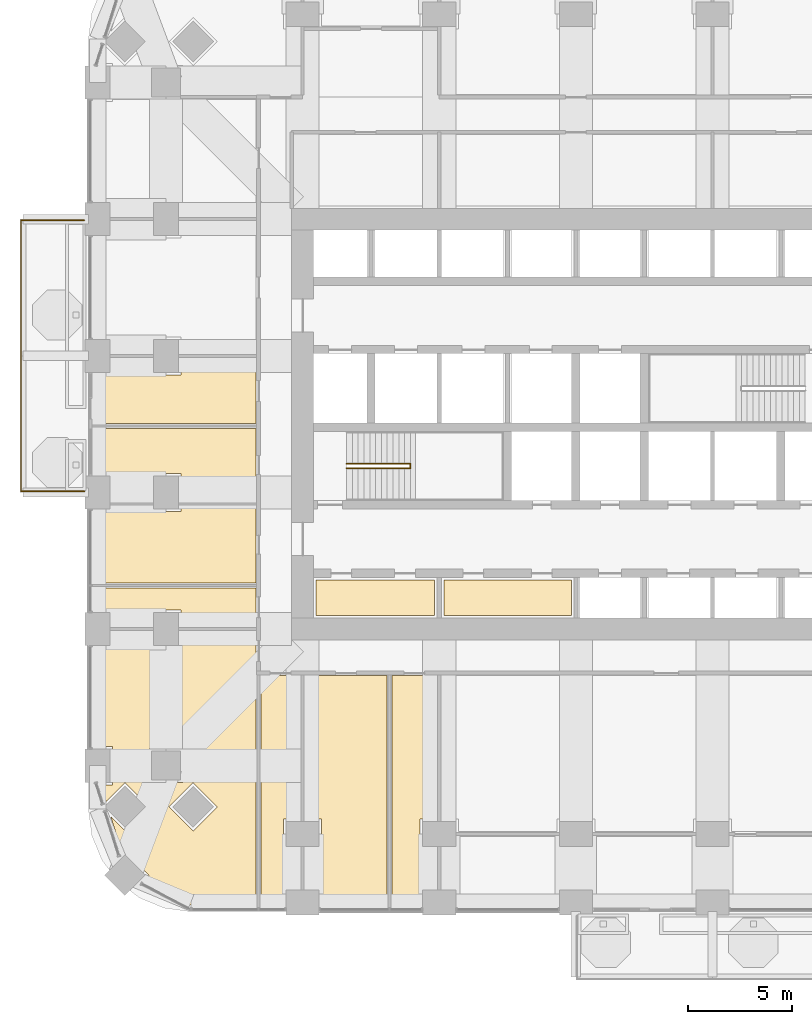
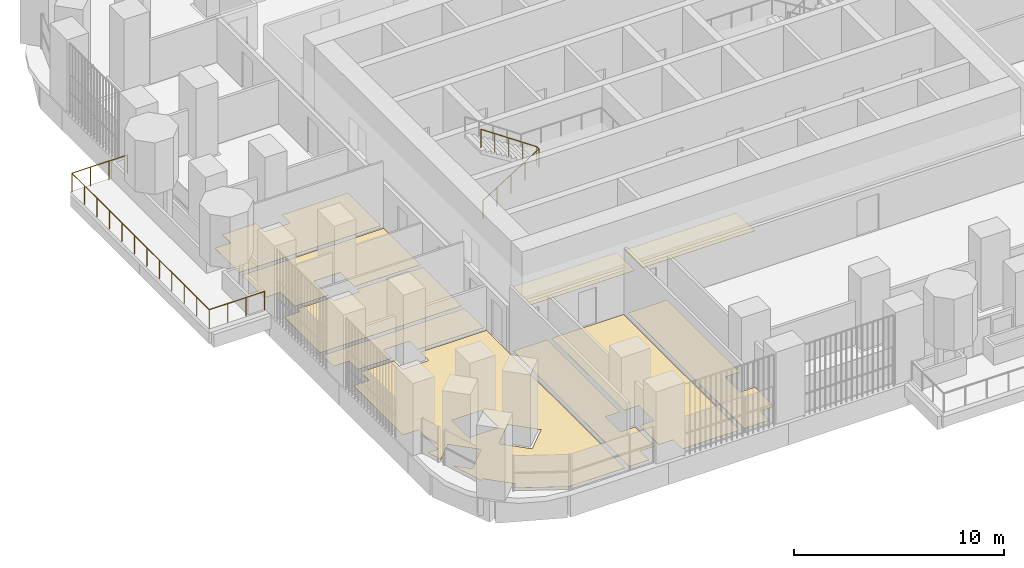
# One storey, part 18 of 22: 10 coverings, 2 railings.
"""IFC4 building model written with IfcOpenShell, lengths in metres."""

from ifc_helpers import new_model, si_unit, direction, frame, origin, place, context, subcontext, project, spatial, polyline, outline, extrude, material, layer, layer_set, type_object, element, save


model = new_model("IFC4")

# Units and contexts
model_context = context("Model", 3, precision=1e-05, world=origin(), true_north=direction((0.0, 1.0)))
body_context = subcontext(model_context, "Body", "Model", "MODEL_VIEW")
ifc_project = project(units=[si_unit("LENGTHUNIT", "METRE"), si_unit("AREAUNIT", "SQUARE_METRE"), si_unit("VOLUMEUNIT", "CUBIC_METRE"), si_unit("PLANEANGLEUNIT", "RADIAN"), si_unit("MASSUNIT", "GRAM", prefix="KILO")], contexts=[model_context])

# Site, building, storey
site_placement = place(None, origin())
site = spatial("IfcSite", under=ifc_project, at=site_placement, CompositionType="ELEMENT")
building_placement = place(site_placement, origin())
building = spatial("IfcBuilding", under=site, at=building_placement, Name="Cobogo Forest Laboratory Tower", CompositionType="ELEMENT")
storey_placement = place(building_placement, frame((0.0, 0.0, 145.199951171875)))
storey = spatial("IfcBuildingStorey", under=building, at=storey_placement, Name="L33", CompositionType="ELEMENT", Elevation=145.199951171875)

# Railing
ifc_material_1 = material(Name="Laminated glass balustrade", Category="glass")
railing_type_1 = type_object("IfcRailingType", Name="BG1 glass balustrade 1100", PredefinedType="GUARDRAIL", material=ifc_material_1)
railing_1_placement = place(storey_placement, frame((2.64990234375, 19.85009765625, 0.0)))
element("IfcRailing", 1, at=railing_1_placement, inside=storey, type_object=railing_type_1, Name="Balcony balustrade BAL-W1 L33", PredefinedType="GUARDRAIL", context=body_context, shape_type="SweptSolid", body=[
    extrude(outline(polyline([(0.022216796875, 0.00927734375), (0.00927734375, 0.022216796875), (-0.00927734375, 0.022216796875), (-0.022216796875, 0.00927734375), (-0.022216796875, -0.00927734375), (-0.00927734375, -0.022216796875), (0.00927734375, -0.022216796875), (0.022216796875, -0.00927734375), (0.022216796875, 0.00927734375)])), frame((0.0, 0.0, 1.077880859375), z_axis=(-1.0, 0.0, 0.0), x_axis=(0.0, -1.0, 0.0)), (0.0, 0.0, 1.0), 3.0498046875),
    extrude(outline(polyline([(0.022216796875, 0.00927734375), (0.00927734375, 0.022216796875), (-0.00927734375, 0.022216796875), (-0.022216796875, 0.00927734375), (-0.022216796875, -0.00927734375), (-0.00927734375, -0.022216796875), (0.00927734375, -0.022216796875), (0.022216796875, -0.00927734375), (0.022216796875, 0.00927734375)])), frame((-3.0498046875, 0.0, 1.077880859375), z_axis=(0.0, 1.0, 0.0), x_axis=(-1.0, 0.0, 0.0)), (0.0, 0.0, 1.0), 13.099853515625),
    extrude(outline(polyline([(0.022216796875, 0.00927734375), (0.00927734375, 0.022216796875), (-0.00927734375, 0.022216796875), (-0.022216796875, 0.00927734375), (-0.022216796875, -0.00927734375), (-0.00927734375, -0.022216796875), (0.00927734375, -0.022216796875), (0.022216796875, -0.00927734375), (0.022216796875, 0.00927734375)])), frame((-3.0498046875, 13.099853515625, 1.077880859375), z_axis=(1.0, 0.0, 0.0), x_axis=(0.0, 1.0, 0.0)), (0.0, 0.0, 1.0), 3.0498046875),
    extrude(outline(polyline([(0.019287109375, 0.008056640625), (0.008056640625, 0.019287109375), (-0.008056640625, 0.019287109375), (-0.019287109375, 0.008056640625), (-0.019287109375, -0.008056640625), (-0.008056640625, -0.019287109375), (0.008056640625, -0.019287109375), (0.019287109375, -0.008056640625), (0.019287109375, 0.008056640625)])), origin(), (0.0, 0.0, 1.0), 1.077880859375),
    extrude(outline(polyline([(0.019287109375, 0.008056640625), (0.008056640625, 0.019287109375), (-0.008056640625, 0.019287109375), (-0.019287109375, 0.008056640625), (-0.019287109375, -0.008056640625), (-0.008056640625, -0.019287109375), (0.008056640625, -0.019287109375), (0.019287109375, -0.008056640625), (0.019287109375, 0.008056640625)])), frame((-1.0166015625, 0.0, 0.0)), (0.0, 0.0, 1.0), 1.077880859375),
    extrude(outline(polyline([(0.019287109375, 0.008056640625), (0.008056640625, 0.019287109375), (-0.008056640625, 0.019287109375), (-0.019287109375, 0.008056640625), (-0.019287109375, -0.008056640625), (-0.008056640625, -0.019287109375), (0.008056640625, -0.019287109375), (0.019287109375, -0.008056640625), (0.019287109375, 0.008056640625)])), frame((-2.033203125, 0.0, 0.0)), (0.0, 0.0, 1.0), 1.077880859375),
    extrude(outline(polyline([(0.019287109375, 0.008056640625), (0.008056640625, 0.019287109375), (-0.008056640625, 0.019287109375), (-0.019287109375, 0.008056640625), (-0.019287109375, -0.008056640625), (-0.008056640625, -0.019287109375), (0.008056640625, -0.019287109375), (0.019287109375, -0.008056640625), (0.019287109375, 0.008056640625)])), frame((-3.0498046875, 0.0, 0.0)), (0.0, 0.0, 1.0), 1.077880859375),
    extrude(outline(polyline([(0.019287109375, 0.008056640625), (0.008056640625, 0.019287109375), (-0.008056640625, 0.019287109375), (-0.019287109375, 0.008056640625), (-0.019287109375, -0.008056640625), (-0.008056640625, -0.019287109375), (0.008056640625, -0.019287109375), (0.019287109375, -0.008056640625), (0.019287109375, 0.008056640625)])), frame((-3.0498046875, 1.19091796875, 0.0)), (0.0, 0.0, 1.0), 1.077880859375),
    extrude(outline(polyline([(0.019287109375, 0.008056640625), (0.008056640625, 0.019287109375), (-0.008056640625, 0.019287109375), (-0.019287109375, 0.008056640625), (-0.019287109375, -0.008056640625), (-0.008056640625, -0.019287109375), (0.008056640625, -0.019287109375), (0.019287109375, -0.008056640625), (0.019287109375, 0.008056640625)])), frame((-3.0498046875, 2.3818359375, 0.0)), (0.0, 0.0, 1.0), 1.077880859375),
    extrude(outline(polyline([(0.019287109375, 0.008056640625), (0.008056640625, 0.019287109375), (-0.008056640625, 0.019287109375), (-0.019287109375, 0.008056640625), (-0.019287109375, -0.008056640625), (-0.008056640625, -0.019287109375), (0.008056640625, -0.019287109375), (0.019287109375, -0.008056640625), (0.019287109375, 0.008056640625)])), frame((-3.0498046875, 3.57275390625, 0.0)), (0.0, 0.0, 1.0), 1.077880859375),
    extrude(outline(polyline([(0.019287109375, 0.008056640625), (0.008056640625, 0.019287109375), (-0.008056640625, 0.019287109375), (-0.019287109375, 0.008056640625), (-0.019287109375, -0.008056640625), (-0.008056640625, -0.019287109375), (0.008056640625, -0.019287109375), (0.019287109375, -0.008056640625), (0.019287109375, 0.008056640625)])), frame((-3.0498046875, 4.763671875, 0.0)), (0.0, 0.0, 1.0), 1.077880859375),
    extrude(outline(polyline([(0.019287109375, 0.008056640625), (0.008056640625, 0.019287109375), (-0.008056640625, 0.019287109375), (-0.019287109375, 0.008056640625), (-0.019287109375, -0.008056640625), (-0.008056640625, -0.019287109375), (0.008056640625, -0.019287109375), (0.019287109375, -0.008056640625), (0.019287109375, 0.008056640625)])), frame((-3.0498046875, 5.95458984375, 0.0)), (0.0, 0.0, 1.0), 1.077880859375),
    extrude(outline(polyline([(0.019287109375, 0.008056640625), (0.008056640625, 0.019287109375), (-0.008056640625, 0.019287109375), (-0.019287109375, 0.008056640625), (-0.019287109375, -0.008056640625), (-0.008056640625, -0.019287109375), (0.008056640625, -0.019287109375), (0.019287109375, -0.008056640625), (0.019287109375, 0.008056640625)])), frame((-3.0498046875, 7.145263671875, 0.0)), (0.0, 0.0, 1.0), 1.077880859375),
    extrude(outline(polyline([(0.019287109375, 0.008056640625), (0.008056640625, 0.019287109375), (-0.008056640625, 0.019287109375), (-0.019287109375, 0.008056640625), (-0.019287109375, -0.008056640625), (-0.008056640625, -0.019287109375), (0.008056640625, -0.019287109375), (0.019287109375, -0.008056640625), (0.019287109375, 0.008056640625)])), frame((-3.0498046875, 8.336181640625, 0.0)), (0.0, 0.0, 1.0), 1.077880859375),
    extrude(outline(polyline([(0.019287109375, 0.008056640625), (0.008056640625, 0.019287109375), (-0.008056640625, 0.019287109375), (-0.019287109375, 0.008056640625), (-0.019287109375, -0.008056640625), (-0.008056640625, -0.019287109375), (0.008056640625, -0.019287109375), (0.019287109375, -0.008056640625), (0.019287109375, 0.008056640625)])), frame((-3.0498046875, 9.527099609375, 0.0)), (0.0, 0.0, 1.0), 1.077880859375),
    extrude(outline(polyline([(0.019287109375, 0.008056640625), (0.008056640625, 0.019287109375), (-0.008056640625, 0.019287109375), (-0.019287109375, 0.008056640625), (-0.019287109375, -0.008056640625), (-0.008056640625, -0.019287109375), (0.008056640625, -0.019287109375), (0.019287109375, -0.008056640625), (0.019287109375, 0.008056640625)])), frame((-3.0498046875, 10.718017578125, 0.0)), (0.0, 0.0, 1.0), 1.077880859375),
    extrude(outline(polyline([(0.019287109375, 0.008056640625), (0.008056640625, 0.019287109375), (-0.008056640625, 0.019287109375), (-0.019287109375, 0.008056640625), (-0.019287109375, -0.008056640625), (-0.008056640625, -0.019287109375), (0.008056640625, -0.019287109375), (0.019287109375, -0.008056640625), (0.019287109375, 0.008056640625)])), frame((-3.0498046875, 11.908935546875, 0.0)), (0.0, 0.0, 1.0), 1.077880859375),
    extrude(outline(polyline([(0.019287109375, 0.008056640625), (0.008056640625, 0.019287109375), (-0.008056640625, 0.019287109375), (-0.019287109375, 0.008056640625), (-0.019287109375, -0.008056640625), (-0.008056640625, -0.019287109375), (0.008056640625, -0.019287109375), (0.019287109375, -0.008056640625), (0.019287109375, 0.008056640625)])), frame((-3.0498046875, 13.099853515625, 0.0)), (0.0, 0.0, 1.0), 1.077880859375),
    extrude(outline(polyline([(0.019287109375, 0.008056640625), (0.008056640625, 0.019287109375), (-0.008056640625, 0.019287109375), (-0.019287109375, 0.008056640625), (-0.019287109375, -0.008056640625), (-0.008056640625, -0.019287109375), (0.008056640625, -0.019287109375), (0.019287109375, -0.008056640625), (0.019287109375, 0.008056640625)])), frame((-2.033203125, 13.099853515625, 0.0)), (0.0, 0.0, 1.0), 1.077880859375),
    extrude(outline(polyline([(0.019287109375, 0.008056640625), (0.008056640625, 0.019287109375), (-0.008056640625, 0.019287109375), (-0.019287109375, 0.008056640625), (-0.019287109375, -0.008056640625), (-0.008056640625, -0.019287109375), (0.008056640625, -0.019287109375), (0.019287109375, -0.008056640625), (0.019287109375, 0.008056640625)])), frame((-1.0166015625, 13.099853515625, 0.0)), (0.0, 0.0, 1.0), 1.077880859375),
    extrude(outline(polyline([(0.019287109375, 0.008056640625), (0.008056640625, 0.019287109375), (-0.008056640625, 0.019287109375), (-0.019287109375, 0.008056640625), (-0.019287109375, -0.008056640625), (-0.008056640625, -0.019287109375), (0.008056640625, -0.019287109375), (0.019287109375, -0.008056640625), (0.019287109375, 0.008056640625)])), frame((0.0, 13.099853515625, 0.0)), (0.0, 0.0, 1.0), 1.077880859375),
])

# Coverings
ifc_material_2 = material(Name="Carpet tile on raised access floor", Category="flooring")
ifc_layer_1 = layer(ifc_material_2, 0.008056640625)
ifc_layer_set_1 = layer_set([ifc_layer_1], Name="CT1 carpet tile floor 8")
covering_type_1 = type_object("IfcCoveringType", Name="CT1 carpet tile floor 8", PredefinedType="FLOORING", material=ifc_layer_set_1)
covering_1_placement = place(storey_placement, origin())
element("IfcCovering", 2, at=covering_1_placement, inside=storey, type_object=covering_type_1, Name="Carpet floor L33-04", PredefinedType="FLOORING", context=body_context, shape_type="SweptSolid", body=[
    extrude(outline(polyline([(13.080078125, 10.955078125), (13.080078125, 4.02001953125), (12.280029296875, 4.02001953125), (12.280029296875, 2.580078125), (13.080078125, 2.580078125), (13.080078125, 0.719970703125), (12.280029296875, 0.719970703125), (12.280029296875, -0.14990234375), (11.195068359375, -0.14990234375), (11.195068359375, 10.955078125), (13.080078125, 10.955078125)])), origin(), (0.0, 0.0, 1.0), 0.008056640625),
])
covering_2_placement = place(storey_placement, origin())
element("IfcCovering", 3, at=covering_2_placement, inside=storey, type_object=covering_type_1, Name="Carpet floor L33-05", PredefinedType="FLOORING", context=body_context, shape_type="SweptSolid", body=[
    extrude(outline(polyline([(17.280029296875, 10.955078125), (17.280029296875, -0.14990234375), (14.1201171875, -0.14990234375), (14.1201171875, 0.719970703125), (13.320068359375, 0.719970703125), (13.320068359375, 2.580078125), (14.1201171875, 2.580078125), (14.1201171875, 4.02001953125), (13.320068359375, 4.02001953125), (13.320068359375, 10.955078125), (17.280029296875, 10.955078125)])), origin(), (0.0, 0.0, 1.0), 0.008056640625),
])
covering_3_placement = place(storey_placement, origin())
element("IfcCovering", 4, at=covering_3_placement, inside=storey, type_object=covering_type_1, Name="Carpet floor L33-19", PredefinedType="FLOORING", context=body_context, shape_type="SweptSolid", body=[
    extrude(outline(polyline([(10.955078125, -0.14990234375), (7.84912109375, -0.14990234375), (5.527099609375, 1.0673828125), (5.777587890625, 1.318115234375), (4.617919921875, 2.477783203125), (4.4990234375, 2.358642578125), (3.936767578125, 4.1396484375), (4.617919921875, 3.458251953125), (5.777587890625, 4.617919921875), (4.617919921875, 5.777587890625), (3.70703125, 4.86669921875), (3.4501953125, 5.679931640625), (4.02001953125, 5.679931640625), (4.02001953125, 7.52001953125), (3.14990234375, 7.52001953125), (3.14990234375, 12.280029296875), (4.02001953125, 12.280029296875), (4.02001953125, 13.080078125), (5.8798828125, 13.080078125), (5.8798828125, 12.280029296875), (7.320068359375, 12.280029296875), (7.320068359375, 13.080078125), (10.955078125, 13.080078125), (10.955078125, -0.14990234375)]), holes=[polyline([(6.75830078125, 4.617919921875), (7.91796875, 3.458251953125), (9.07763671875, 4.617919921875), (7.91796875, 5.777587890625), (6.75830078125, 4.617919921875)]), polyline([(5.780029296875, 7.419921875), (5.780029296875, 5.780029296875), (7.419921875, 5.780029296875), (7.419921875, 7.419921875), (5.780029296875, 7.419921875)])]), origin(), (0.0, 0.0, 1.0), 0.008056640625),
])
covering_4_placement = place(storey_placement, origin())
element("IfcCovering", 5, at=covering_4_placement, inside=storey, type_object=covering_type_1, Name="Carpet floor L33-33", PredefinedType="FLOORING", context=body_context, shape_type="SweptSolid", body=[
    extrude(outline(polyline([(19.580078125, 13.844970703125), (13.844970703125, 13.844970703125), (13.844970703125, 15.580078125), (19.580078125, 15.580078125), (19.580078125, 13.844970703125)])), origin(), (0.0, 0.0, 1.0), 0.008056640625),
])

# Railing
ifc_material_3 = material(Name="Steel balustrade", Category="steel")
railing_type_2 = type_object("IfcRailingType", Name="GR stair guard 1100", PredefinedType="GUARDRAIL", material=ifc_material_3)
railing_2_placement = place(storey_placement, frame((15.324951171875, 20.969970703125, 0.175048828125)))
element("IfcRailing", 6, at=railing_2_placement, inside=storey, type_object=railing_type_2, Name="Stair guard ST1 L33", PredefinedType="GUARDRAIL", context=body_context, shape_type="SweptSolid", body=[
    extrude(outline(polyline([(0.022216796875, 0.00927734375), (0.00927734375, 0.022216796875), (-0.00927734375, 0.022216796875), (-0.022216796875, 0.00927734375), (-0.022216796875, -0.00927734375), (-0.00927734375, -0.022216796875), (0.00927734375, -0.022216796875), (0.022216796875, -0.00927734375), (0.022216796875, 0.00927734375)])), frame((0.0, 0.0, 1.077880859375), z_axis=(0.847998304005, 0.0, 0.529998940003), x_axis=(0.0, 1.0, 0.0)), (0.0, 0.0, 1.0), 3.632080078125),
    extrude(outline(polyline([(0.022216796875, 0.00927734375), (0.00927734375, 0.022216796875), (-0.00927734375, 0.022216796875), (-0.022216796875, 0.00927734375), (-0.022216796875, -0.00927734375), (-0.00927734375, -0.022216796875), (0.00927734375, -0.022216796875), (0.022216796875, -0.00927734375), (0.022216796875, 0.00927734375)])), frame((3.080078125, 0.0, 3.0029296875), z_axis=(0.0, 1.0, 0.0), x_axis=(-1.0, 0.0, 0.0)), (0.0, 0.0, 1.0), 0.2099609375),
    extrude(outline(polyline([(0.022216796875, 0.00927734375), (0.00927734375, 0.022216796875), (-0.00927734375, 0.022216796875), (-0.022216796875, 0.00927734375), (-0.022216796875, -0.00927734375), (-0.00927734375, -0.022216796875), (0.00927734375, -0.022216796875), (0.022216796875, -0.00927734375), (0.022216796875, 0.00927734375)])), frame((3.080078125, 0.2099609375, 3.0029296875), z_axis=(-0.826252282691, 0.0, 0.563300244406), x_axis=(0.0, -1.0, 0.0)), (0.0, 0.0, 1.0), 3.727783203125),
    extrude(outline(polyline([(0.019287109375, 0.008056640625), (0.008056640625, 0.019287109375), (-0.008056640625, 0.019287109375), (-0.019287109375, 0.008056640625), (-0.019287109375, -0.008056640625), (-0.008056640625, -0.019287109375), (0.008056640625, -0.019287109375), (0.019287109375, -0.008056640625), (0.019287109375, 0.008056640625)])), origin(), (0.0, 0.0, 1.0), 1.077880859375),
    extrude(outline(polyline([(0.019287109375, 0.008056640625), (0.008056640625, 0.019287109375), (-0.008056640625, 0.019287109375), (-0.019287109375, 0.008056640625), (-0.019287109375, -0.008056640625), (-0.008056640625, -0.019287109375), (0.008056640625, -0.019287109375), (0.019287109375, -0.008056640625), (0.019287109375, 0.008056640625)])), frame((0.77001953125, 0.0, 0.481201171875)), (0.0, 0.0, 1.0), 1.077880859375),
    extrude(outline(polyline([(0.019287109375, 0.008056640625), (0.008056640625, 0.019287109375), (-0.008056640625, 0.019287109375), (-0.019287109375, 0.008056640625), (-0.019287109375, -0.008056640625), (-0.008056640625, -0.019287109375), (0.008056640625, -0.019287109375), (0.019287109375, -0.008056640625), (0.019287109375, 0.008056640625)])), frame((1.5400390625, 0.0, 0.96240234375)), (0.0, 0.0, 1.0), 1.077880859375),
    extrude(outline(polyline([(0.019287109375, 0.008056640625), (0.008056640625, 0.019287109375), (-0.008056640625, 0.019287109375), (-0.019287109375, 0.008056640625), (-0.019287109375, -0.008056640625), (-0.008056640625, -0.019287109375), (0.008056640625, -0.019287109375), (0.019287109375, -0.008056640625), (0.019287109375, 0.008056640625)])), frame((2.31005859375, 0.0, 1.44384765625)), (0.0, 0.0, 1.0), 1.077880859375),
    extrude(outline(polyline([(0.019287109375, 0.008056640625), (0.008056640625, 0.019287109375), (-0.008056640625, 0.019287109375), (-0.019287109375, 0.008056640625), (-0.019287109375, -0.008056640625), (-0.008056640625, -0.019287109375), (0.008056640625, -0.019287109375), (0.019287109375, -0.008056640625), (0.019287109375, 0.008056640625)])), frame((3.080078125, 0.0, 1.925048828125)), (0.0, 0.0, 1.0), 1.077880859375),
    extrude(outline(polyline([(0.019287109375, 0.008056640625), (0.008056640625, 0.019287109375), (-0.008056640625, 0.019287109375), (-0.019287109375, 0.008056640625), (-0.019287109375, -0.008056640625), (-0.008056640625, -0.019287109375), (0.008056640625, -0.019287109375), (0.019287109375, -0.008056640625), (0.019287109375, 0.008056640625)])), frame((3.080078125, 0.2099609375, 1.925048828125)), (0.0, 0.0, 1.0), 1.077880859375),
    extrude(outline(polyline([(0.019287109375, 0.008056640625), (0.008056640625, 0.019287109375), (-0.008056640625, 0.019287109375), (-0.019287109375, 0.008056640625), (-0.019287109375, -0.008056640625), (-0.008056640625, -0.019287109375), (0.008056640625, -0.019287109375), (0.019287109375, -0.008056640625), (0.019287109375, 0.008056640625)])), frame((2.31005859375, 0.2099609375, 2.449951171875)), (0.0, 0.0, 1.0), 1.077880859375),
    extrude(outline(polyline([(0.019287109375, 0.008056640625), (0.008056640625, 0.019287109375), (-0.008056640625, 0.019287109375), (-0.019287109375, 0.008056640625), (-0.019287109375, -0.008056640625), (-0.008056640625, -0.019287109375), (0.008056640625, -0.019287109375), (0.019287109375, -0.008056640625), (0.019287109375, 0.008056640625)])), frame((1.5400390625, 0.2099609375, 2.97509765625)), (0.0, 0.0, 1.0), 1.077880859375),
    extrude(outline(polyline([(0.019287109375, 0.008056640625), (0.008056640625, 0.019287109375), (-0.008056640625, 0.019287109375), (-0.019287109375, 0.008056640625), (-0.019287109375, -0.008056640625), (-0.008056640625, -0.019287109375), (0.008056640625, -0.019287109375), (0.019287109375, -0.008056640625), (0.019287109375, 0.008056640625)])), frame((0.77001953125, 0.2099609375, 3.5)), (0.0, 0.0, 1.0), 1.077880859375),
    extrude(outline(polyline([(0.019287109375, 0.008056640625), (0.008056640625, 0.019287109375), (-0.008056640625, 0.019287109375), (-0.019287109375, 0.008056640625), (-0.019287109375, -0.008056640625), (-0.008056640625, -0.019287109375), (0.008056640625, -0.019287109375), (0.019287109375, -0.008056640625), (0.019287109375, 0.008056640625)])), frame((0.0, 0.2099609375, 4.02490234375)), (0.0, 0.0, 1.0), 1.077880859375),
])

# Coverings
ifc_material_4 = material(Name="Ceramic floor tile", Category="flooring")
ifc_layer_2 = layer(ifc_material_4, 0.010009765625)
ifc_layer_set_2 = layer_set([ifc_layer_2], Name="TF1 ceramic tile floor 10")
covering_type_2 = type_object("IfcCoveringType", Name="TF1 ceramic tile floor 10", PredefinedType="FLOORING", material=ifc_layer_set_2)
covering_5_placement = place(storey_placement, origin())
element("IfcCovering", 7, at=covering_5_placement, inside=storey, type_object=covering_type_2, Name="Tile floor L33-06", PredefinedType="FLOORING", context=body_context, shape_type="SweptSolid", body=[
    extrude(outline(polyline([(19.679931640625, 10.955078125), (19.679931640625, 4.02001953125), (18.8798828125, 4.02001953125), (18.8798828125, 2.580078125), (19.679931640625, 2.580078125), (19.679931640625, 0.719970703125), (18.8798828125, 0.719970703125), (18.8798828125, -0.14990234375), (17.52001953125, -0.14990234375), (17.52001953125, 10.955078125), (19.679931640625, 10.955078125)])), origin(), (0.0, 0.0, 1.0), 0.010009765625),
])
covering_6_placement = place(storey_placement, origin())
element("IfcCovering", 8, at=covering_6_placement, inside=storey, type_object=covering_type_2, Name="Tile floor L33-20", PredefinedType="FLOORING", context=body_context, shape_type="SweptSolid", body=[
    extrude(outline(polyline([(10.955078125, 13.320068359375), (7.320068359375, 13.320068359375), (7.320068359375, 14.1201171875), (5.8798828125, 14.1201171875), (5.8798828125, 13.320068359375), (4.02001953125, 13.320068359375), (4.02001953125, 14.1201171875), (3.14990234375, 14.1201171875), (3.14990234375, 15.179931640625), (10.955078125, 15.179931640625), (10.955078125, 13.320068359375)])), origin(), (0.0, 0.0, 1.0), 0.010009765625),
])
covering_7_placement = place(storey_placement, origin())
element("IfcCovering", 9, at=covering_7_placement, inside=storey, type_object=covering_type_2, Name="Tile floor L33-21", PredefinedType="FLOORING", context=body_context, shape_type="SweptSolid", body=[
    extrude(outline(polyline([(10.955078125, 15.419921875), (3.14990234375, 15.419921875), (3.14990234375, 18.8798828125), (4.02001953125, 18.8798828125), (4.02001953125, 19.1298828125), (5.8798828125, 19.1298828125), (5.8798828125, 18.8798828125), (7.320068359375, 18.8798828125), (7.320068359375, 19.1298828125), (10.955078125, 19.1298828125), (10.955078125, 15.419921875)])), origin(), (0.0, 0.0, 1.0), 0.010009765625),
])
covering_8_placement = place(storey_placement, origin())
element("IfcCovering", 10, at=covering_8_placement, inside=storey, type_object=covering_type_2, Name="Tile floor L33-22", PredefinedType="FLOORING", context=body_context, shape_type="SweptSolid", body=[
    extrude(outline(polyline([(10.955078125, 19.3701171875), (7.320068359375, 19.3701171875), (7.320068359375, 20.719970703125), (5.8798828125, 20.719970703125), (5.8798828125, 19.3701171875), (4.02001953125, 19.3701171875), (4.02001953125, 20.719970703125), (3.14990234375, 20.719970703125), (3.14990234375, 22.8798828125), (10.955078125, 22.8798828125), (10.955078125, 19.3701171875)])), origin(), (0.0, 0.0, 1.0), 0.010009765625),
])
covering_9_placement = place(storey_placement, origin())
element("IfcCovering", 11, at=covering_9_placement, inside=storey, type_object=covering_type_2, Name="Tile floor L33-23", PredefinedType="FLOORING", context=body_context, shape_type="SweptSolid", body=[
    extrude(outline(polyline([(10.955078125, 23.1201171875), (3.14990234375, 23.1201171875), (3.14990234375, 25.47998046875), (4.02001953125, 25.47998046875), (4.02001953125, 26.280029296875), (5.8798828125, 26.280029296875), (5.8798828125, 25.47998046875), (7.320068359375, 25.47998046875), (7.320068359375, 26.280029296875), (10.955078125, 26.280029296875), (10.955078125, 23.1201171875)])), origin(), (0.0, 0.0, 1.0), 0.010009765625),
])
covering_10_placement = place(storey_placement, origin())
element("IfcCovering", 12, at=covering_10_placement, inside=storey, type_object=covering_type_2, Name="Tile floor L33-34", PredefinedType="FLOORING", context=body_context, shape_type="SweptSolid", body=[
    extrude(outline(polyline([(26.179931640625, 13.844970703125), (20.02001953125, 13.844970703125), (20.02001953125, 15.580078125), (26.179931640625, 15.580078125), (26.179931640625, 13.844970703125)])), origin(), (0.0, 0.0, 1.0), 0.010009765625),
])

save(model, "model.ifc")
